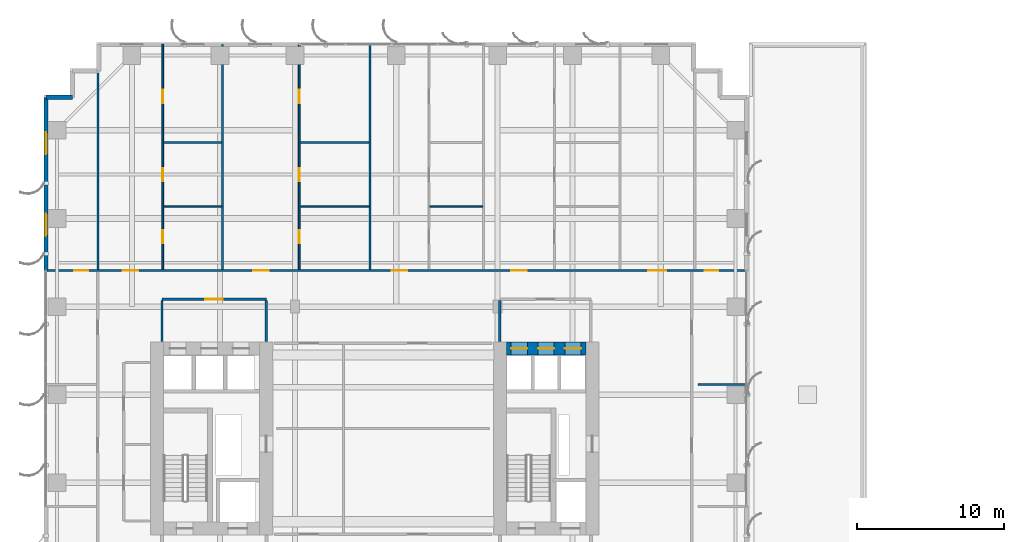
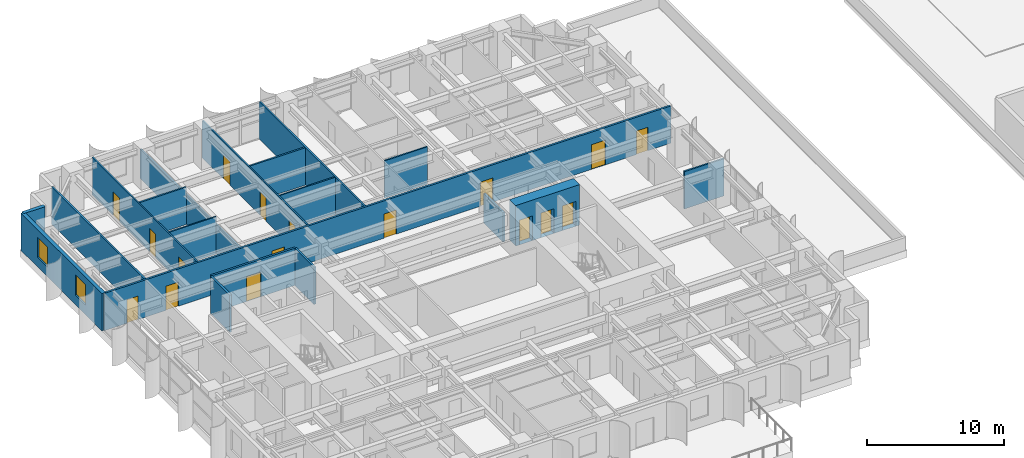
# One storey, part 14 of 21: 19 walls, 17 doors, 2 windows, 19 openings.
"""IFC4 building model written with IfcOpenShell, lengths in metres."""

from ifc_helpers import new_model, si_unit, direction, frame, frame_2d, origin, place, context, subcontext, project, spatial, rectangle, extrude, source, transform, mapped, material, layer, layer_set, type_object, element, fill, save


model = new_model("IFC4")

# Units and contexts
model_context = context("Model", 3, precision=1e-05, world=origin(), true_north=direction((0.0, 1.0)))
body_context = subcontext(model_context, "Body", "Model", "MODEL_VIEW")
ifc_project = project(units=[si_unit("LENGTHUNIT", "METRE"), si_unit("AREAUNIT", "SQUARE_METRE"), si_unit("VOLUMEUNIT", "CUBIC_METRE"), si_unit("PLANEANGLEUNIT", "RADIAN"), si_unit("MASSUNIT", "GRAM", prefix="KILO")], contexts=[model_context])

# Site, building, storey
site_placement = place(None, origin())
site = spatial("IfcSite", under=ifc_project, at=site_placement, CompositionType="ELEMENT")
building_placement = place(site_placement, origin())
building = spatial("IfcBuilding", under=site, at=building_placement, Name="Khoralis Quay Care Tower", CompositionType="ELEMENT")
storey_placement = place(building_placement, frame((0.0, 0.0, 22.5)))
storey = spatial("IfcBuildingStorey", under=building, at=storey_placement, Name="L05", CompositionType="ELEMENT", Elevation=22.5)

# Wall, openings, doors
ifc_material_1 = material(Name="Concrete C80/95", Category="concrete")
ifc_layer_1 = layer(ifc_material_1, 0.89990234375)
ifc_layer_set_1 = layer_set([ifc_layer_1], Name="Concrete C80/95")
wall_type_1 = type_object("IfcWallType", Name="WL-CORE-900", PredefinedType="SHEAR", material=ifc_layer_set_1)
wall_1_placement = place(storey_placement, frame((31.52001953125, 27.14990234375, 0.0), z_axis=(0.0, 0.0, 1.0), x_axis=(1.0, 0.0, 0.0)))
wall_1 = element("IfcWall", 1, at=wall_1_placement, inside=storey, type_object=wall_type_1, Name="L05 ECORE North Shear Wall", PredefinedType="SHEAR", context=body_context, shape_type="SweptSolid", body=[
    extrude(rectangle(XDim=5.3798828125, YDim=0.89990234375, at=frame_2d((2.68994140625, 0.0))), origin(), (0.0, 0.0, 1.0), 3.60009765625),
])
opening_1_placement = place(wall_1_placement, frame((0.300048828125, 0.0, 0.0)))
opening_1 = element("IfcOpeningElement", 2, at=opening_1_placement, cuts=wall_1, Name="Opening LD1", PredefinedType="OPENING", context=body_context, shape_type="SweptSolid", body=[
    extrude(rectangle(XDim=1.10009765625, YDim=2.199951171875, at=frame_2d((0.550048828125, 1.10009765625))), frame((0.0, 0.4599609375, 0.0), z_axis=(0.0, -1.0, 0.0), x_axis=(1.0, 0.0, 0.0)), (0.0, 0.0, 1.0), 0.919921875),
])
opening_2_placement = place(wall_1_placement, frame((2.1298828125, 0.0, 0.0)))
opening_2 = element("IfcOpeningElement", 3, at=opening_2_placement, cuts=wall_1, Name="Opening LD1", PredefinedType="OPENING", context=body_context, shape_type="SweptSolid", body=[
    extrude(rectangle(XDim=1.10009765625, YDim=2.199951171875, at=frame_2d((0.550048828125, 1.10009765625))), frame((0.0, 0.4599609375, 0.0), z_axis=(0.0, -1.0, 0.0), x_axis=(1.0, 0.0, 0.0)), (0.0, 0.0, 1.0), 0.919921875),
])
opening_3_placement = place(wall_1_placement, frame((3.9599609375, 0.0, 0.0)))
opening_3 = element("IfcOpeningElement", 4, at=opening_3_placement, cuts=wall_1, Name="Opening LD1", PredefinedType="OPENING", context=body_context, shape_type="SweptSolid", body=[
    extrude(rectangle(XDim=1.10009765625, YDim=2.199951171875, at=frame_2d((0.550048828125, 1.10009765625))), frame((0.0, 0.4599609375, 0.0), z_axis=(0.0, -1.0, 0.0), x_axis=(1.0, 0.0, 0.0)), (0.0, 0.0, 1.0), 0.919921875),
])
ifc_material_2 = material(Name="Brushed stainless steel", Category="steel")
door_type_1 = type_object("IfcDoorType", Name="DR-LIFT-1100X2200", OperationType="SLIDING_TO_LEFT", PredefinedType="DOOR", material=ifc_material_2)
shared_shape_1 = source(origin(), body_context, "Body", "SweptSolid", [
    extrude(rectangle(XDim=1.10009765625, YDim=2.199951171875, at=frame_2d((0.550048828125, 1.10009765625))), frame((0.0, 0.02490234375, 0.0), z_axis=(0.0, -1.0, 0.0), x_axis=(1.0, 0.0, 0.0)), (0.0, 0.0, 1.0), 0.050048828125),
])
door_1_placement = place(opening_1_placement, origin())
door_1 = element("IfcDoor", 5, at=door_1_placement, inside=storey, type_object=door_type_1, Name="L05 Lift PLL2 Landing Door", OperationType="SLIDING_TO_LEFT", OverallHeight=2.199951171875, OverallWidth=1.10009765625, PredefinedType="DOOR", context=body_context, shape_type="MappedRepresentation", body=[
    mapped(shared_shape_1, transform((0.0, 0.0, 0.0), scale=1.0)),
])
fill(opening_1, door_1)
door_2_placement = place(opening_2_placement, origin())
door_2 = element("IfcDoor", 6, at=door_2_placement, inside=storey, type_object=door_type_1, Name="L05 Lift PLM2 Landing Door", OperationType="SLIDING_TO_LEFT", OverallHeight=2.199951171875, OverallWidth=1.10009765625, PredefinedType="DOOR", context=body_context, shape_type="MappedRepresentation", body=[
    mapped(shared_shape_1, transform((0.0, 0.0, 0.0), scale=1.0)),
])
fill(opening_2, door_2)
door_3_placement = place(opening_3_placement, origin())
door_3 = element("IfcDoor", 7, at=door_3_placement, inside=storey, type_object=door_type_1, Name="L05 Lift PLH2 Landing Door", OperationType="SLIDING_TO_LEFT", OverallHeight=2.199951171875, OverallWidth=1.10009765625, PredefinedType="DOOR", context=body_context, shape_type="MappedRepresentation", body=[
    mapped(shared_shape_1, transform((0.0, 0.0, 0.0), scale=1.0)),
])
fill(opening_3, door_3)

# Wall, opening, door
ifc_material_3 = material(Name="Gypsum plasterboard on acoustic metal stud")
ifc_layer_2 = layer(ifc_material_3, 0.1650390625)
ifc_layer_set_2 = layer_set([ifc_layer_2], Name="Gypsum plasterboard on acoustic metal stud")
wall_type_2 = type_object("IfcWallType", Name="WL-CORR-165", PredefinedType="PARTITIONING", material=ifc_layer_set_2)
wall_2_placement = place(storey_placement, frame((8.050048828125, 30.5, 0.0), z_axis=(0.0, 0.0, 1.0), x_axis=(1.0, 0.0, 0.0)))
wall_2 = element("IfcWall", 8, at=wall_2_placement, inside=storey, type_object=wall_type_2, Name="L05 West Lift Lobby North Wall", PredefinedType="PARTITIONING", context=body_context, shape_type="SweptSolid", body=[
    extrude(rectangle(XDim=7.099853515625, YDim=0.1650390625, at=frame_2d((3.5498046875, 0.0))), origin(), (0.0, 0.0, 1.0), 3.320068359375),
])
opening_4_placement = place(wall_2_placement, frame((2.949951171875, 0.0, 0.0)))
opening_4 = element("IfcOpeningElement", 9, at=opening_4_placement, cuts=wall_2, Name="Opening FD1", PredefinedType="OPENING", context=body_context, shape_type="SweptSolid", body=[
    extrude(rectangle(XDim=1.199951171875, YDim=2.199951171875, at=frame_2d((0.60009765625, 1.10009765625))), frame((0.0, 0.092529296875, 0.0), z_axis=(0.0, -1.0, 0.0), x_axis=(1.0, 0.0, 0.0)), (0.0, 0.0, 1.0), 0.18505859375),
])
ifc_material_4 = material(Name="Fire-rated painted steel", Category="steel")
door_type_2 = type_object("IfcDoorType", Name="DR-FFL-1200X2200", OperationType="NOTDEFINED", PredefinedType="DOOR", material=ifc_material_4)
shared_shape_2 = source(origin(), body_context, "Body", "SweptSolid", [
    extrude(rectangle(XDim=1.199951171875, YDim=2.199951171875, at=frame_2d((0.60009765625, 1.10009765625))), frame((0.0, 0.02490234375, 0.0), z_axis=(0.0, -1.0, 0.0), x_axis=(1.0, 0.0, 0.0)), (0.0, 0.0, 1.0), 0.050048828125),
])
door_4_placement = place(opening_4_placement, origin())
door_4 = element("IfcDoor", 10, at=door_4_placement, inside=storey, type_object=door_type_2, Name="L05 West Lift Lobby Double Door", OperationType="DOUBLE_DOOR_SINGLE_SWING", OverallHeight=2.199951171875, OverallWidth=1.199951171875, PredefinedType="DOOR", context=body_context, shape_type="MappedRepresentation", body=[
    mapped(shared_shape_2, transform((0.0, 0.0, 0.0), scale=1.0)),
])
fill(opening_4, door_4)

# Walls
for number, where, z_axis, x_axis, name in (
    (11, (8.050048828125, 27.6201171875, 0.0), (0.0, 0.0, 1.0), (0.0, 1.0, 0.0), "L05 West Lift Lobby West Wall"),
    (12, (15.14990234375, 27.6201171875, 0.0), (0.0, 0.0, 1.0), (0.0, 1.0, 0.0), "L05 West Lift Lobby East Wall"),
):
    element("IfcWall", number, at=place(storey_placement, frame(where, z_axis=z_axis, x_axis=x_axis)), inside=storey, type_object=wall_type_2, Name=name, PredefinedType="PARTITIONING", context=body_context, shape_type="SweptSolid", body=[
        extrude(rectangle(XDim=2.802490234375, YDim=0.1650390625, at=frame_2d((1.4013671875, 0.0))), origin(), (0.0, 0.0, 1.0), 3.320068359375),
    ])
wall_3_placement = place(storey_placement, frame((31.050048828125, 27.6201171875, 0.0), z_axis=(0.0, 0.0, 1.0), x_axis=(0.0, 1.0, 0.0)))
element("IfcWall", 13, at=wall_3_placement, inside=storey, type_object=wall_type_2, Name="L05 East Lift Lobby West Wall", PredefinedType="PARTITIONING", context=body_context, shape_type="SweptSolid", body=[
    extrude(rectangle(XDim=2.802490234375, YDim=0.1650390625, at=frame_2d((1.4013671875, 0.0))), origin(), (0.0, 0.0, 1.0), 2.625),
])

# Wall, openings, doors
wall_4_placement = place(storey_placement, frame((0.14501953125, 32.4599609375, 0.0), z_axis=(0.0, 0.0, 1.0), x_axis=(1.0, 0.0, 0.0)))
wall_4 = element("IfcWall", 14, at=wall_4_placement, inside=storey, type_object=wall_type_2, Name="L05 North Main Corridor Wall", PredefinedType="PARTITIONING", context=body_context, shape_type="SweptSolid", body=[
    extrude(rectangle(XDim=47.7099609375, YDim=0.1650390625, at=frame_2d((23.85498046875, 0.0))), origin(), (0.0, 0.0, 1.0), 3.320068359375),
])
opening_5_placement = place(wall_4_placement, frame((5.219970703125, 0.0, 0.0)))
opening_5 = element("IfcOpeningElement", 15, at=opening_5_placement, cuts=wall_4, Name="Opening UD1", PredefinedType="OPENING", context=body_context, shape_type="SweptSolid", body=[
    extrude(rectangle(XDim=1.050048828125, YDim=2.14990234375, at=frame_2d((0.52490234375, 1.074951171875))), frame((0.0, 0.092529296875, 0.0), z_axis=(0.0, -1.0, 0.0), x_axis=(1.0, 0.0, 0.0)), (0.0, 0.0, 1.0), 0.18505859375),
])
opening_6_placement = place(wall_4_placement, frame((14.117919921875, 0.0, 0.0)))
opening_6 = element("IfcOpeningElement", 16, at=opening_6_placement, cuts=wall_4, Name="Opening UD1", PredefinedType="OPENING", context=body_context, shape_type="SweptSolid", body=[
    extrude(rectangle(XDim=1.050048828125, YDim=2.14990234375, at=frame_2d((0.52490234375, 1.074951171875))), frame((0.0, 0.092529296875, 0.0), z_axis=(0.0, -1.0, 0.0), x_axis=(1.0, 0.0, 0.0)), (0.0, 0.0, 1.0), 0.18505859375),
])
opening_7_placement = place(wall_4_placement, frame((23.552490234375, 0.0, 0.0)))
opening_7 = element("IfcOpeningElement", 17, at=opening_7_placement, cuts=wall_4, Name="Opening UD1", PredefinedType="OPENING", context=body_context, shape_type="SweptSolid", body=[
    extrude(rectangle(XDim=1.050048828125, YDim=2.14990234375, at=frame_2d((0.52490234375, 1.074951171875))), frame((0.0, 0.092529296875, 0.0), z_axis=(0.0, -1.0, 0.0), x_axis=(1.0, 0.0, 0.0)), (0.0, 0.0, 1.0), 0.18505859375),
])
opening_8_placement = place(wall_4_placement, frame((31.68994140625, 0.0, 0.0)))
opening_8 = element("IfcOpeningElement", 18, at=opening_8_placement, cuts=wall_4, Name="Opening UD1", PredefinedType="OPENING", context=body_context, shape_type="SweptSolid", body=[
    extrude(rectangle(XDim=1.050048828125, YDim=2.14990234375, at=frame_2d((0.52490234375, 1.074951171875))), frame((0.0, 0.092529296875, 0.0), z_axis=(0.0, -1.0, 0.0), x_axis=(1.0, 0.0, 0.0)), (0.0, 0.0, 1.0), 0.18505859375),
])
opening_9_placement = place(wall_4_placement, frame((41.02490234375, 0.0, 0.0)))
opening_9 = element("IfcOpeningElement", 19, at=opening_9_placement, cuts=wall_4, Name="Opening FD1", PredefinedType="OPENING", context=body_context, shape_type="SweptSolid", body=[
    extrude(rectangle(XDim=1.199951171875, YDim=2.199951171875, at=frame_2d((0.60009765625, 1.10009765625))), frame((0.0, 0.092529296875, 0.0), z_axis=(0.0, -1.0, 0.0), x_axis=(1.0, 0.0, 0.0)), (0.0, 0.0, 1.0), 0.18505859375),
])
opening_10_placement = place(wall_4_placement, frame((1.919921875, 0.0, 0.0)))
opening_10 = element("IfcOpeningElement", 20, at=opening_10_placement, cuts=wall_4, Name="Opening ID1", PredefinedType="OPENING", context=body_context, shape_type="SweptSolid", body=[
    extrude(rectangle(XDim=0.949951171875, YDim=2.10009765625, at=frame_2d((0.47509765625, 1.050048828125))), frame((0.0, 0.092529296875, 0.0), z_axis=(0.0, -1.0, 0.0), x_axis=(1.0, 0.0, 0.0)), (0.0, 0.0, 1.0), 0.18505859375),
])
opening_11_placement = place(wall_4_placement, frame((44.840087890625, 0.0, 0.0)))
opening_11 = element("IfcOpeningElement", 21, at=opening_11_placement, cuts=wall_4, Name="Opening ID1", PredefinedType="OPENING", context=body_context, shape_type="SweptSolid", body=[
    extrude(rectangle(XDim=0.949951171875, YDim=2.10009765625, at=frame_2d((0.47509765625, 1.050048828125))), frame((0.0, 0.092529296875, 0.0), z_axis=(0.0, -1.0, 0.0), x_axis=(1.0, 0.0, 0.0)), (0.0, 0.0, 1.0), 0.18505859375),
])
door_5_placement = place(opening_9_placement, origin())
door_5 = element("IfcDoor", 22, at=door_5_placement, inside=storey, type_object=door_type_2, Name="L05 Resident Communal Day Lounge Door", OperationType="DOUBLE_DOOR_SINGLE_SWING", OverallHeight=2.199951171875, OverallWidth=1.199951171875, PredefinedType="DOOR", context=body_context, shape_type="MappedRepresentation", body=[
    mapped(shared_shape_2, transform((0.0, 0.0, 0.0), scale=1.0)),
])
fill(opening_9, door_5)
ifc_material_5 = material(Name="Acoustic hardwood timber", Category="wood")
door_type_3 = type_object("IfcDoorType", Name="DR-ROOM-950X2100", OperationType="NOTDEFINED", PredefinedType="DOOR", material=ifc_material_5)
shared_shape_3 = source(origin(), body_context, "Body", "SweptSolid", [
    extrude(rectangle(XDim=0.949951171875, YDim=2.10009765625, at=frame_2d((0.47509765625, 1.050048828125))), frame((0.0, 0.02490234375, 0.0), z_axis=(0.0, -1.0, 0.0), x_axis=(1.0, 0.0, 0.0)), (0.0, 0.0, 1.0), 0.050048828125),
])
door_6_placement = place(opening_10_placement, origin())
door_6 = element("IfcDoor", 23, at=door_6_placement, inside=storey, type_object=door_type_3, Name="L05 NW Corner Door", OperationType="SINGLE_SWING_RIGHT", OverallHeight=2.10009765625, OverallWidth=0.949951171875, PredefinedType="DOOR", context=body_context, shape_type="MappedRepresentation", body=[
    mapped(shared_shape_3, transform((0.0, 0.0, 0.0), scale=1.0)),
])
fill(opening_10, door_6)
door_7_placement = place(opening_11_placement, origin())
door_7 = element("IfcDoor", 24, at=door_7_placement, inside=storey, type_object=door_type_3, Name="L05 NE Corner Door", OperationType="SINGLE_SWING_LEFT", OverallHeight=2.10009765625, OverallWidth=0.949951171875, PredefinedType="DOOR", context=body_context, shape_type="MappedRepresentation", body=[
    mapped(shared_shape_3, transform((0.0, 0.0, 0.0), scale=1.0)),
])
fill(opening_11, door_7)
door_type_4 = type_object("IfcDoorType", Name="DR-SUITE-1050X2150", OperationType="NOTDEFINED", PredefinedType="DOOR", material=ifc_material_5)
shared_shape_4 = source(origin(), body_context, "Body", "SweptSolid", [
    extrude(rectangle(XDim=1.050048828125, YDim=2.14990234375, at=frame_2d((0.52490234375, 1.074951171875))), frame((0.0, 0.02490234375, 0.0), z_axis=(0.0, -1.0, 0.0), x_axis=(1.0, 0.0, 0.0)), (0.0, 0.0, 1.0), 0.050048828125),
])
door_8_placement = place(opening_5_placement, origin())
door_8 = element("IfcDoor", 25, at=door_8_placement, inside=storey, type_object=door_type_4, Name="L05 Apartment NB0 Entrance Door", OperationType="SINGLE_SWING_LEFT", OverallHeight=2.14990234375, OverallWidth=1.050048828125, PredefinedType="DOOR", context=body_context, shape_type="MappedRepresentation", body=[
    mapped(shared_shape_4, transform((0.0, 0.0, 0.0), scale=1.0)),
])
fill(opening_5, door_8)
door_9_placement = place(opening_6_placement, origin())
door_9 = element("IfcDoor", 26, at=door_9_placement, inside=storey, type_object=door_type_4, Name="L05 Apartment NB1 Entrance Door", OperationType="SINGLE_SWING_RIGHT", OverallHeight=2.14990234375, OverallWidth=1.050048828125, PredefinedType="DOOR", context=body_context, shape_type="MappedRepresentation", body=[
    mapped(shared_shape_4, transform((0.0, 0.0, 0.0), scale=1.0)),
])
fill(opening_6, door_9)
door_10_placement = place(opening_7_placement, origin())
door_10 = element("IfcDoor", 27, at=door_10_placement, inside=storey, type_object=door_type_4, Name="L05 Apartment NB2 Entrance Door", OperationType="SINGLE_SWING_LEFT", OverallHeight=2.14990234375, OverallWidth=1.050048828125, PredefinedType="DOOR", context=body_context, shape_type="MappedRepresentation", body=[
    mapped(shared_shape_4, transform((0.0, 0.0, 0.0), scale=1.0)),
])
fill(opening_7, door_10)
door_11_placement = place(opening_8_placement, origin())
door_11 = element("IfcDoor", 28, at=door_11_placement, inside=storey, type_object=door_type_4, Name="L05 Apartment NB3 Entrance Door", OperationType="SINGLE_SWING_RIGHT", OverallHeight=2.14990234375, OverallWidth=1.050048828125, PredefinedType="DOOR", context=body_context, shape_type="MappedRepresentation", body=[
    mapped(shared_shape_4, transform((0.0, 0.0, 0.0), scale=1.0)),
])
fill(opening_8, door_11)

# Wall
ifc_material_6 = material(Name="Precast concrete C45/55", Category="concrete")
ifc_layer_3 = layer(ifc_material_6, 0.300048828125)
ifc_layer_set_3 = layer_set([ifc_layer_3], Name="Precast concrete C45/55")
wall_type_3 = type_object("IfcWallType", Name="WL-EXT-REF-300", PredefinedType="SOLIDWALL", material=ifc_layer_set_3)
wall_5_placement = place(storey_placement, frame((1.949951171875, 44.25, 0.0), z_axis=(0.0, 0.0, 1.0), x_axis=(-1.0, 0.0, 0.0)))
element("IfcWall", 29, at=wall_5_placement, inside=storey, type_object=wall_type_3, Name="L05 External Facade Wall WL-EXT-L05-P1-C14", PredefinedType="SOLIDWALL", context=body_context, shape_type="SweptSolid", body=[
    extrude(rectangle(XDim=1.800048828125, YDim=0.300048828125, at=frame_2d((0.89990234375, 0.0))), origin(), (0.0, 0.0, 1.0), 3.320068359375),
])

# Wall, openings, windows
wall_6_placement = place(storey_placement, frame((0.14990234375, 44.25, 0.0), z_axis=(0.0, 0.0, 1.0), x_axis=(0.0, -1.0, 0.0)))
wall_6 = element("IfcWall", 30, at=wall_6_placement, inside=storey, type_object=wall_type_3, Name="L05 External Facade Wall WL-EXT-L05-P1-E15A", PredefinedType="SOLIDWALL", context=body_context, shape_type="SweptSolid", body=[
    extrude(rectangle(XDim=11.7900390625, YDim=0.300048828125, at=frame_2d((5.89501953125, 0.0))), origin(), (0.0, 0.0, 1.0), 3.320068359375),
])
opening_12_placement = place(wall_6_placement, frame((2.37744140625, 0.0, 0.85009765625)))
opening_12 = element("IfcOpeningElement", 31, at=opening_12_placement, cuts=wall_6, Name="Opening W3", PredefinedType="OPENING", context=body_context, shape_type="SweptSolid", body=[
    extrude(rectangle(XDim=1.5, YDim=1.800048828125, at=frame_2d((0.75, 0.89990234375))), frame((0.0, 0.16015625, 0.0), z_axis=(0.0, -1.0, 0.0), x_axis=(1.0, 0.0, 0.0)), (0.0, 0.0, 1.0), 0.320068359375),
])
opening_13_placement = place(wall_6_placement, frame((7.91259765625, 0.0, 0.85009765625)))
opening_13 = element("IfcOpeningElement", 32, at=opening_13_placement, cuts=wall_6, Name="Opening W3", PredefinedType="OPENING", context=body_context, shape_type="SweptSolid", body=[
    extrude(rectangle(XDim=1.5, YDim=1.800048828125, at=frame_2d((0.75, 0.89990234375))), frame((0.0, 0.16015625, 0.0), z_axis=(0.0, -1.0, 0.0), x_axis=(1.0, 0.0, 0.0)), (0.0, 0.0, 1.0), 0.320068359375),
])
ifc_material_7 = material(Name="Low-E solar-control double glazing", Category="glass")
window_type = type_object("IfcWindowType", Name="WN-CLIN-1500X1800", PartitioningType="SINGLE_PANEL", PredefinedType="WINDOW", material=ifc_material_7)
shared_shape_5 = source(origin(), body_context, "Body", "SweptSolid", [
    extrude(rectangle(XDim=1.5, YDim=1.800048828125, at=frame_2d((0.75, 0.89990234375))), frame((0.0, 0.030029296875, 0.0), z_axis=(0.0, -1.0, 0.0), x_axis=(1.0, 0.0, 0.0)), (0.0, 0.0, 1.0), 0.06005859375),
])
window_1_placement = place(opening_12_placement, origin())
window_1 = element("IfcWindow", 33, at=window_1_placement, inside=storey, type_object=window_type, Name="WN-L05-P1-E15A Facade Window 01", OverallHeight=1.800048828125, OverallWidth=1.5, PartitioningType="SINGLE_PANEL", PredefinedType="WINDOW", context=body_context, shape_type="MappedRepresentation", body=[
    mapped(shared_shape_5, transform((0.0, 0.0, 0.0), scale=1.0)),
])
fill(opening_12, window_1)
window_2_placement = place(opening_13_placement, origin())
window_2 = element("IfcWindow", 34, at=window_2_placement, inside=storey, type_object=window_type, Name="WN-L05-P1-E15A Facade Window 02", OverallHeight=1.800048828125, OverallWidth=1.5, PartitioningType="SINGLE_PANEL", PredefinedType="WINDOW", context=body_context, shape_type="MappedRepresentation", body=[
    mapped(shared_shape_5, transform((0.0, 0.0, 0.0), scale=1.0)),
])
fill(opening_13, window_2)

# Wall, openings, doors
ifc_layer_4 = layer(ifc_material_3, 0.114990234375)
ifc_layer_set_4 = layer_set([ifc_layer_4], Name="Gypsum plasterboard on acoustic metal stud")
wall_type_4 = type_object("IfcWallType", Name="WL-PART-115", PredefinedType="PARTITIONING", material=ifc_layer_set_4)
wall_7_placement = place(storey_placement, frame((8.10009765625, 32.53759765625, 0.0), z_axis=(0.0, 0.0, 1.0), x_axis=(0.0, 1.0, 0.0)))
wall_7 = element("IfcWall", 35, at=wall_7_placement, inside=storey, type_object=wall_type_4, Name="L05 Unit 0 Internal Wall", PredefinedType="PARTITIONING", context=body_context, shape_type="SweptSolid", body=[
    extrude(rectangle(XDim=15.3173828125, YDim=0.114990234375, at=frame_2d((7.65869140625, 0.0))), origin(), (0.0, 0.0, 1.0), 3.320068359375),
])
opening_14_placement = place(wall_7_placement, frame((11.29345703125, 0.0, 0.0)))
opening_14 = element("IfcOpeningElement", 36, at=opening_14_placement, cuts=wall_7, Name="Opening ID1", PredefinedType="OPENING", context=body_context, shape_type="SweptSolid", body=[
    extrude(rectangle(XDim=0.949951171875, YDim=2.10009765625, at=frame_2d((0.47509765625, 1.050048828125))), frame((0.0, 0.0673828125, 0.0), z_axis=(0.0, -1.0, 0.0), x_axis=(1.0, 0.0, 0.0)), (0.0, 0.0, 1.0), 0.135009765625),
])
opening_15_placement = place(wall_7_placement, frame((5.9990234375, 0.0, 0.0)))
opening_15 = element("IfcOpeningElement", 37, at=opening_15_placement, cuts=wall_7, Name="Opening WD1", PredefinedType="OPENING", context=body_context, shape_type="SweptSolid", body=[
    extrude(rectangle(XDim=0.89990234375, YDim=2.10009765625, at=frame_2d((0.449951171875, 1.050048828125))), frame((0.0, 0.0673828125, 0.0), z_axis=(0.0, -1.0, 0.0), x_axis=(1.0, 0.0, 0.0)), (0.0, 0.0, 1.0), 0.135009765625),
])
opening_16_placement = place(wall_7_placement, frame((1.762939453125, 0.0, 0.0)))
opening_16 = element("IfcOpeningElement", 38, at=opening_16_placement, cuts=wall_7, Name="Opening WD1", PredefinedType="OPENING", context=body_context, shape_type="SweptSolid", body=[
    extrude(rectangle(XDim=0.89990234375, YDim=2.10009765625, at=frame_2d((0.449951171875, 1.050048828125))), frame((0.0, 0.0673828125, 0.0), z_axis=(0.0, -1.0, 0.0), x_axis=(1.0, 0.0, 0.0)), (0.0, 0.0, 1.0), 0.135009765625),
])
door_type_5 = type_object("IfcDoorType", Name="DR-BATH-900X2100", OperationType="NOTDEFINED", PredefinedType="DOOR", material=ifc_material_5)
shared_shape_6 = source(origin(), body_context, "Body", "SweptSolid", [
    extrude(rectangle(XDim=0.89990234375, YDim=2.10009765625, at=frame_2d((0.449951171875, 1.050048828125))), frame((0.0, 0.02490234375, 0.0), z_axis=(0.0, -1.0, 0.0), x_axis=(1.0, 0.0, 0.0)), (0.0, 0.0, 1.0), 0.050048828125),
])
door_12_placement = place(opening_15_placement, frame((0.89990234375, 0.0, 0.0), z_axis=(0.0, 0.0, 1.0), x_axis=(-1.0, 0.0, 0.0)))
door_12 = element("IfcDoor", 39, at=door_12_placement, inside=storey, type_object=door_type_5, Name="L05 Apartment NB0 KIT Door", OperationType="SINGLE_SWING_LEFT", OverallHeight=2.10009765625, OverallWidth=0.89990234375, PredefinedType="DOOR", context=body_context, shape_type="MappedRepresentation", body=[
    mapped(shared_shape_6, transform((0.0, 0.0, 0.0), scale=1.0)),
])
fill(opening_15, door_12)
door_13_placement = place(opening_16_placement, frame((0.89990234375, 0.0, 0.0), z_axis=(0.0, 0.0, 1.0), x_axis=(-1.0, 0.0, 0.0)))
door_13 = element("IfcDoor", 40, at=door_13_placement, inside=storey, type_object=door_type_5, Name="L05 Apartment NB0 BTH Door", OperationType="SINGLE_SWING_RIGHT", OverallHeight=2.10009765625, OverallWidth=0.89990234375, PredefinedType="DOOR", context=body_context, shape_type="MappedRepresentation", body=[
    mapped(shared_shape_6, transform((0.0, 0.0, 0.0), scale=1.0)),
])
fill(opening_16, door_13)
door_14_placement = place(opening_14_placement, frame((0.949951171875, 0.0, 0.0), z_axis=(0.0, 0.0, 1.0), x_axis=(-1.0, 0.0, 0.0)))
door_14 = element("IfcDoor", 41, at=door_14_placement, inside=storey, type_object=door_type_3, Name="L05 Apartment NB0 BED Door", OperationType="SINGLE_SWING_RIGHT", OverallHeight=2.10009765625, OverallWidth=0.949951171875, PredefinedType="DOOR", context=body_context, shape_type="MappedRepresentation", body=[
    mapped(shared_shape_3, transform((0.0, 0.0, 0.0), scale=1.0)),
])
fill(opening_14, door_14)

# Wall
wall_8_placement = place(storey_placement, frame((8.152587890625, 36.81103515625, 0.0), z_axis=(0.0, 0.0, 1.0), x_axis=(1.0, 0.0, 0.0)))
element("IfcWall", 42, at=wall_8_placement, inside=storey, type_object=wall_type_4, Name="L05 Unit 0 Kitchen Wall", PredefinedType="PARTITIONING", context=body_context, shape_type="SweptSolid", body=[
    extrude(rectangle(XDim=3.96240234375, YDim=0.114990234375, at=frame_2d((1.981201171875, 0.0))), origin(), (0.0, 0.0, 1.0), 3.320068359375),
])

# Wall, openings, doors
wall_9_placement = place(storey_placement, frame((17.39599609375, 32.53759765625, 0.0), z_axis=(0.0, 0.0, 1.0), x_axis=(0.0, 1.0, 0.0)))
wall_9 = element("IfcWall", 43, at=wall_9_placement, inside=storey, type_object=wall_type_4, Name="L05 Unit 1 Internal Wall", PredefinedType="PARTITIONING", context=body_context, shape_type="SweptSolid", body=[
    extrude(rectangle(XDim=15.3173828125, YDim=0.114990234375, at=frame_2d((7.65869140625, 0.0))), origin(), (0.0, 0.0, 1.0), 3.320068359375),
])
opening_17_placement = place(wall_9_placement, frame((11.29345703125, 0.0, 0.0)))
opening_17 = element("IfcOpeningElement", 44, at=opening_17_placement, cuts=wall_9, Name="Opening ID1", PredefinedType="OPENING", context=body_context, shape_type="SweptSolid", body=[
    extrude(rectangle(XDim=0.949951171875, YDim=2.10009765625, at=frame_2d((0.47509765625, 1.050048828125))), frame((0.0, 0.0673828125, 0.0), z_axis=(0.0, -1.0, 0.0), x_axis=(1.0, 0.0, 0.0)), (0.0, 0.0, 1.0), 0.135009765625),
])
opening_18_placement = place(wall_9_placement, frame((5.9990234375, 0.0, 0.0)))
opening_18 = element("IfcOpeningElement", 45, at=opening_18_placement, cuts=wall_9, Name="Opening WD1", PredefinedType="OPENING", context=body_context, shape_type="SweptSolid", body=[
    extrude(rectangle(XDim=0.89990234375, YDim=2.10009765625, at=frame_2d((0.449951171875, 1.050048828125))), frame((0.0, 0.0673828125, 0.0), z_axis=(0.0, -1.0, 0.0), x_axis=(1.0, 0.0, 0.0)), (0.0, 0.0, 1.0), 0.135009765625),
])
opening_19_placement = place(wall_9_placement, frame((1.762939453125, 0.0, 0.0)))
opening_19 = element("IfcOpeningElement", 46, at=opening_19_placement, cuts=wall_9, Name="Opening WD1", PredefinedType="OPENING", context=body_context, shape_type="SweptSolid", body=[
    extrude(rectangle(XDim=0.89990234375, YDim=2.10009765625, at=frame_2d((0.449951171875, 1.050048828125))), frame((0.0, 0.0673828125, 0.0), z_axis=(0.0, -1.0, 0.0), x_axis=(1.0, 0.0, 0.0)), (0.0, 0.0, 1.0), 0.135009765625),
])
door_15_placement = place(opening_18_placement, frame((0.89990234375, 0.0, 0.0), z_axis=(0.0, 0.0, 1.0), x_axis=(-1.0, 0.0, 0.0)))
door_15 = element("IfcDoor", 47, at=door_15_placement, inside=storey, type_object=door_type_5, Name="L05 Apartment NB1 KIT Door", OperationType="SINGLE_SWING_RIGHT", OverallHeight=2.10009765625, OverallWidth=0.89990234375, PredefinedType="DOOR", context=body_context, shape_type="MappedRepresentation", body=[
    mapped(shared_shape_6, transform((0.0, 0.0, 0.0), scale=1.0)),
])
fill(opening_18, door_15)
door_16_placement = place(opening_19_placement, frame((0.89990234375, 0.0, 0.0), z_axis=(0.0, 0.0, 1.0), x_axis=(-1.0, 0.0, 0.0)))
door_16 = element("IfcDoor", 48, at=door_16_placement, inside=storey, type_object=door_type_5, Name="L05 Apartment NB1 BTH Door", OperationType="SINGLE_SWING_LEFT", OverallHeight=2.10009765625, OverallWidth=0.89990234375, PredefinedType="DOOR", context=body_context, shape_type="MappedRepresentation", body=[
    mapped(shared_shape_6, transform((0.0, 0.0, 0.0), scale=1.0)),
])
fill(opening_19, door_16)
door_17_placement = place(opening_17_placement, frame((0.949951171875, 0.0, 0.0), z_axis=(0.0, 0.0, 1.0), x_axis=(-1.0, 0.0, 0.0)))
door_17 = element("IfcDoor", 49, at=door_17_placement, inside=storey, type_object=door_type_3, Name="L05 Apartment NB1 BED Door", OperationType="SINGLE_SWING_LEFT", OverallHeight=2.10009765625, OverallWidth=0.949951171875, PredefinedType="DOOR", context=body_context, shape_type="MappedRepresentation", body=[
    mapped(shared_shape_3, transform((0.0, 0.0, 0.0), scale=1.0)),
])
fill(opening_17, door_17)

# Walls
wall_10_placement = place(storey_placement, frame((17.448486328125, 36.81103515625, 0.0), z_axis=(0.0, 0.0, 1.0), x_axis=(1.0, 0.0, 0.0)))
element("IfcWall", 50, at=wall_10_placement, inside=storey, type_object=wall_type_4, Name="L05 Unit 1 Kitchen Wall", PredefinedType="PARTITIONING", context=body_context, shape_type="SweptSolid", body=[
    extrude(rectangle(XDim=4.696533203125, YDim=0.114990234375, at=frame_2d((2.34814453125, 0.0))), origin(), (0.0, 0.0, 1.0), 3.320068359375),
])
wall_11_placement = place(storey_placement, frame((26.28759765625, 36.81103515625, 0.0), z_axis=(0.0, 0.0, 1.0), x_axis=(1.0, 0.0, 0.0)))
element("IfcWall", 51, at=wall_11_placement, inside=storey, type_object=wall_type_4, Name="L05 Unit 2 Kitchen Wall", PredefinedType="PARTITIONING", context=body_context, shape_type="SweptSolid", body=[
    extrude(rectangle(XDim=3.597412109375, YDim=0.114990234375, at=frame_2d((1.798828125, 0.0))), origin(), (0.0, 0.0, 1.0), 3.320068359375),
])
ifc_material_8 = material(Name="Moisture-resistant gypsum and ceramic tile")
ifc_layer_5 = layer(ifc_material_8, 0.280029296875)
ifc_layer_set_5 = layer_set([ifc_layer_5], Name="Moisture-resistant gypsum and ceramic tile")
wall_type_5 = type_object("IfcWallType", Name="WL-PLUMB-280", PredefinedType="PLUMBINGWALL", material=ifc_layer_set_5)
wall_12_placement = place(storey_placement, frame((8.152587890625, 41.162109375, 0.0), z_axis=(0.0, 0.0, 1.0), x_axis=(1.0, 0.0, 0.0)))
element("IfcWall", 52, at=wall_12_placement, inside=storey, type_object=wall_type_5, Name="L05 Unit 0 Wet Wall", PredefinedType="PLUMBINGWALL", context=body_context, shape_type="SweptSolid", body=[
    extrude(rectangle(XDim=3.96240234375, YDim=0.139892578125, at=frame_2d((1.981201171875, 0.0))), origin(), (0.0, 0.0, 1.0), 3.320068359375),
])
wall_13_placement = place(storey_placement, frame((17.448486328125, 41.162109375, 0.0), z_axis=(0.0, 0.0, 1.0), x_axis=(1.0, 0.0, 0.0)))
element("IfcWall", 53, at=wall_13_placement, inside=storey, type_object=wall_type_5, Name="L05 Unit 1 Wet Wall", PredefinedType="PLUMBINGWALL", context=body_context, shape_type="SweptSolid", body=[
    extrude(rectangle(XDim=4.696533203125, YDim=0.139892578125, at=frame_2d((2.34814453125, 0.0))), origin(), (0.0, 0.0, 1.0), 3.320068359375),
])
ifc_layer_6 = layer(ifc_material_3, 0.139892578125)
ifc_layer_set_6 = layer_set([ifc_layer_6], Name="Gypsum plasterboard on acoustic metal stud")
wall_type_6 = type_object("IfcWallType", Name="WL-UNIT-140", PredefinedType="PARTITIONING", material=ifc_layer_set_6)
wall_14_placement = place(storey_placement, frame((44.5400390625, 24.699951171875, 0.0), z_axis=(0.0, 0.0, 1.0), x_axis=(1.0, 0.0, 0.0)))
element("IfcWall", 54, at=wall_14_placement, inside=storey, type_object=wall_type_6, Name="L05 EE Divider 2", PredefinedType="PARTITIONING", context=body_context, shape_type="SweptSolid", body=[
    extrude(rectangle(XDim=3.31494140625, YDim=0.139892578125, at=frame_2d((1.657470703125, 0.0))), origin(), (0.0, 0.0, 1.0), 3.320068359375),
])
wall_15_placement = place(storey_placement, frame((3.679931640625, 32.53759765625, 0.0), z_axis=(0.0, 0.0, 1.0), x_axis=(0.0, 1.0, 0.0)))
element("IfcWall", 55, at=wall_15_placement, inside=storey, type_object=wall_type_6, Name="L05 NB Demising Wall 0", PredefinedType="PARTITIONING", context=body_context, shape_type="SweptSolid", body=[
    extrude(rectangle(XDim=13.517333984375, YDim=0.139892578125, at=frame_2d((6.7587890625, 0.0))), origin(), (0.0, 0.0, 1.0), 3.320068359375),
])
wall_16_placement = place(storey_placement, frame((12.179931640625, 32.53759765625, 0.0), z_axis=(0.0, 0.0, 1.0), x_axis=(0.0, 1.0, 0.0)))
element("IfcWall", 56, at=wall_16_placement, inside=storey, type_object=wall_type_6, Name="L05 NB Demising Wall 1", PredefinedType="PARTITIONING", context=body_context, shape_type="SweptSolid", body=[
    extrude(rectangle(XDim=15.3173828125, YDim=0.139892578125, at=frame_2d((7.65869140625, 0.0))), origin(), (0.0, 0.0, 1.0), 2.625),
])
wall_17_placement = place(storey_placement, frame((22.2099609375, 32.53759765625, 0.0), z_axis=(0.0, 0.0, 1.0), x_axis=(0.0, 1.0, 0.0)))
element("IfcWall", 57, at=wall_17_placement, inside=storey, type_object=wall_type_6, Name="L05 NB Demising Wall 2", PredefinedType="PARTITIONING", context=body_context, shape_type="SweptSolid", body=[
    extrude(rectangle(XDim=15.3173828125, YDim=0.139892578125, at=frame_2d((7.65869140625, 0.0))), origin(), (0.0, 0.0, 1.0), 3.320068359375),
])

save(model, "model.ifc")
